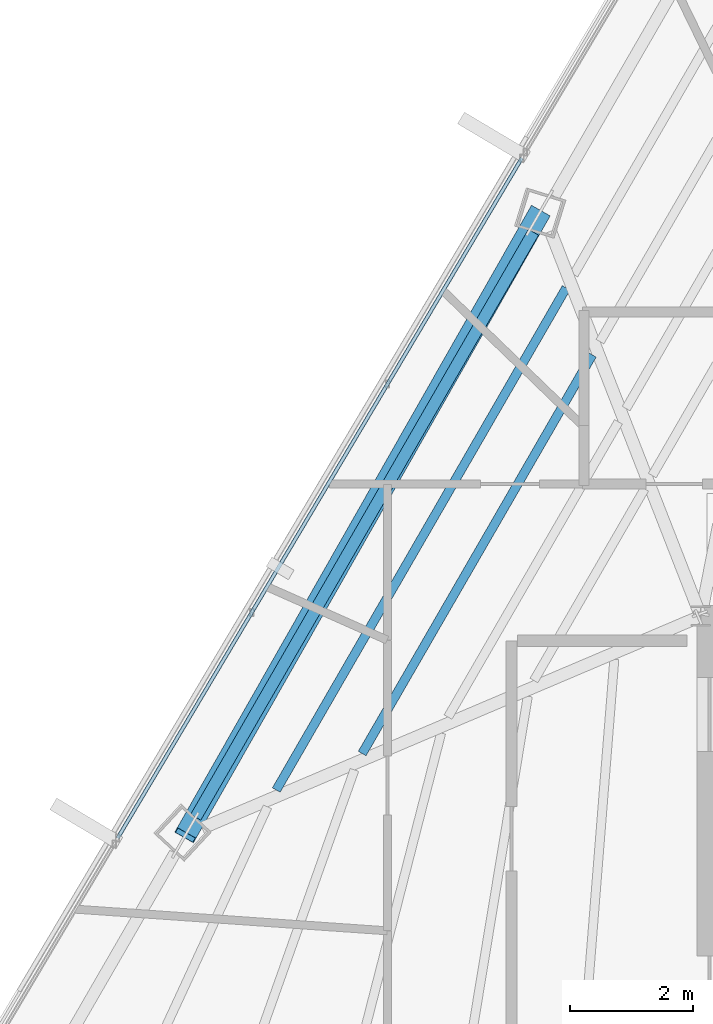
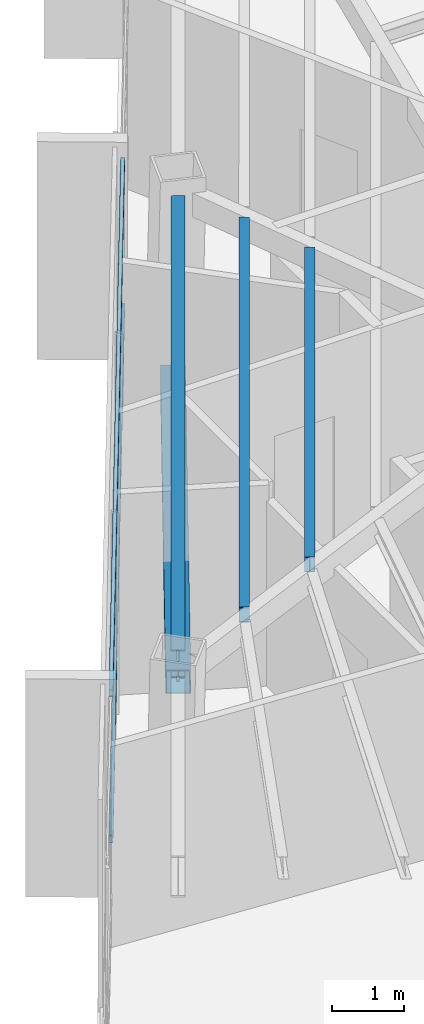
# One storey, part 18 of 46: 3 beams, 3 members, 1 element without a shape of its own.
"""IFC4 building model written with IfcOpenShell, lengths in metres."""

from ifc_helpers import new_model, si_unit, direction, frame, origin, origin_2d, place, context, subcontext, project, spatial, hollow_rectangle, i_section, extrude, source, transform, mapped, material, material_profile, profile_set, type_object, type_shapes, element, aggregate, save


model = new_model("IFC4")

# Units and contexts
model_context = context("Model", 3, precision=1e-05, world=origin(), true_north=direction((0.0, 1.0)))
body_context = subcontext(model_context, "Body", "Model", "MODEL_VIEW")
ifc_project = project(units=[si_unit("LENGTHUNIT", "METRE"), si_unit("AREAUNIT", "SQUARE_METRE"), si_unit("VOLUMEUNIT", "CUBIC_METRE"), si_unit("PLANEANGLEUNIT", "RADIAN"), si_unit("MASSUNIT", "GRAM", prefix="KILO")], contexts=[model_context])

# Site, building, storey
site_placement = place(None, origin())
site = spatial("IfcSite", under=ifc_project, at=site_placement, CompositionType="ELEMENT")
building_placement = place(site_placement, origin())
building = spatial("IfcBuilding", under=site, at=building_placement, Name="Caelisora Broadcast Tower", CompositionType="ELEMENT")
storey_placement = place(building_placement, frame((0.0, 0.0, 237.14990234375)))
storey = spatial("IfcBuildingStorey", under=building, at=storey_placement, Name="L62", CompositionType="ELEMENT", Elevation=237.14990234375)

# Beams
ifc_material_1 = material(Name="Steel Grade 350 (AS/NZS 3679.1)", Category="steel")
ifc_material_profile_1 = material_profile(ifc_material_1, i_section(OverallWidth=0.19091796875, OverallDepth=0.46044921875, WebThickness=0.010009765625, FlangeThickness=0.01611328125, at=origin_2d()), Name="Steel Grade 350 (AS/NZS 3679.1)")
ifc_profile_set_1 = profile_set([ifc_material_profile_1], Name="Steel Grade 350 (AS/NZS 3679.1)")
beam_type_1 = type_object("IfcBeamType", Name="PG06", PredefinedType="BEAM", material=ifc_profile_set_1)
shared_shape_1 = source(origin(), body_context, "Body", "SweptSolid", [
    extrude(i_section(OverallWidth=0.19091796875, OverallDepth=0.46044921875, WebThickness=0.010009765625, FlangeThickness=0.01611328125, at=origin_2d()), origin(), (0.0, 0.0, 1.0), 10.993408203125),
])
type_shapes(beam_type_1, [shared_shape_1])
beam_1_placement = place(storey_placement, frame((27.77783203125, 36.248779296875, 3.169921875), z_axis=(-0.499994152074, -0.86602878006, 0.0), x_axis=(0.86602878006, -0.499994152074, 0.0)))
element("IfcBeam", 1, at=beam_1_placement, inside=storey, type_object=beam_type_1, Name="L62 beam PG06", PredefinedType="BEAM", context=body_context, shape_type="MappedRepresentation", body=[
    mapped(shared_shape_1, transform((0.0, 0.0, 0.0), scale=1.0)),
])
ifc_material_profile_2 = material_profile(ifc_material_1, i_section(OverallWidth=0.14599609375, OverallDepth=0.256103515625, WebThickness=0.00634765625, FlangeThickness=0.010986328125, at=origin_2d()), Name="Steel Grade 350 (AS/NZS 3679.1)")
ifc_profile_set_2 = profile_set([ifc_material_profile_2], Name="Steel Grade 350 (AS/NZS 3679.1)")
beam_type_2 = type_object("IfcBeamType", Name="SB04", PredefinedType="JOIST", material=ifc_profile_set_2)
shared_shape_2 = source(origin(), body_context, "Body", "SweptSolid", [
    extrude(i_section(OverallWidth=0.14599609375, OverallDepth=0.256103515625, WebThickness=0.00634765625, FlangeThickness=0.010986328125, at=origin_2d()), origin(), (0.0, 0.0, 1.0), 7.4912109375),
])
beam_2_placement = place(storey_placement, frame((28.7353515625, 34.252685546875, 3.27197265625), z_axis=(-0.500001742692, -0.866024397638, 0.0), x_axis=(0.866024397638, -0.500001742692, 0.0)))
element("IfcBeam", 2, at=beam_2_placement, inside=storey, type_object=beam_type_2, Name="L62 beam SB04", PredefinedType="JOIST", context=body_context, shape_type="MappedRepresentation", body=[
    mapped(shared_shape_2, transform((0.0, 0.0, 0.0), scale=1.0)),
])
shared_shape_3 = source(origin(), body_context, "Body", "SweptSolid", [
    extrude(i_section(OverallWidth=0.14599609375, OverallDepth=0.256103515625, WebThickness=0.00634765625, FlangeThickness=0.010986328125, at=origin_2d()), origin(), (0.0, 0.0, 1.0), 9.435791015625),
])
type_shapes(beam_type_2, [shared_shape_2, shared_shape_3])
beam_3_placement = place(storey_placement, frame((28.309814453125, 35.3427734375, 3.27197265625), z_axis=(-0.500009879981, -0.8660196995, 0.0), x_axis=(0.8660196995, -0.500009879981, 0.0)))
element("IfcBeam", 3, at=beam_3_placement, inside=storey, type_object=beam_type_2, Name="L62 beam SB04", PredefinedType="JOIST", context=body_context, shape_type="MappedRepresentation", body=[
    mapped(shared_shape_3, transform((0.0, 0.0, 0.0), scale=1.0)),
])

# Member
ifc_material_2 = material(Name="Steel Grade 450 (AS/NZS 1163 C450L0)", Category="steel")
ifc_material_profile_3 = material_profile(ifc_material_2, hollow_rectangle(XDim=0.35009765625, YDim=0.35009765625, WallThickness=0.012451171875, at=origin_2d()), Name="Steel Grade 450 (AS/NZS 1163 C450L0)")
ifc_profile_set_3 = profile_set([ifc_material_profile_3], Name="Steel Grade 450 (AS/NZS 1163 C450L0)")
member_type_1 = type_object("IfcMemberType", Name="BR05", PredefinedType="BRACE", material=ifc_profile_set_3)
shared_shape_4 = source(origin(), body_context, "Body", "SweptSolid", [
    extrude(hollow_rectangle(XDim=0.35009765625, YDim=0.35009765625, WallThickness=0.012451171875, at=origin_2d()), origin(), (0.0, 0.0, 1.0), 12.032958984375),
])
type_shapes(member_type_1, [shared_shape_4])
member_1_placement = place(storey_placement, frame((27.8759765625, 36.5634765625, 0.10009765625), z_axis=(-0.478985819281, -0.841674336118, 0.249312849345), x_axis=(0.869118492449, -0.494603928496, 0.0)))
element("IfcMember", 4, at=member_1_placement, inside=storey, type_object=member_type_1, Name="L62 perimeter brace BR05", PredefinedType="BRACE", context=body_context, shape_type="MappedRepresentation", body=[
    mapped(shared_shape_4, transform((0.0, 0.0, 0.0), scale=1.0)),
])

# Curtain wall, members
ifc_material_3 = material(Name="Unitised Aluminium Insulated Shadow-Box Spandrel Curtain Wall", Category="aluminium")
curtain_wall_type = type_object("IfcCurtainWallType", Name="CW-SP3", PredefinedType="NOTDEFINED", material=ifc_material_3)
curtain_wall_placement = place(storey_placement, origin())
curtain_wall = element("IfcCurtainWall", 5, at=curtain_wall_placement, inside=storey, type_object=curtain_wall_type, Name="L62 curtain wall CW-SP3", PredefinedType="NOTDEFINED")
ifc_material_4 = material(Name="Aluminium 6063-T6 Anodised Terracotta Bronze", Category="aluminium")
ifc_material_profile_4 = material_profile(ifc_material_4, hollow_rectangle(XDim=0.06005859375, YDim=0.1201171875, WallThickness=0.0029296875, at=origin_2d()), Name="Aluminium 6063-T6 Anodised Terracotta Bronze")
ifc_profile_set_4 = profile_set([ifc_material_profile_4], Name="Aluminium 6063-T6 Anodised Terracotta Bronze")
member_type_2 = type_object("IfcMemberType", Name="CWT-03", PredefinedType="USERDEFINED", material=ifc_profile_set_4)
shared_shape_5 = source(origin(), body_context, "Body", "SweptSolid", [
    extrude(hollow_rectangle(XDim=0.06005859375, YDim=0.1201171875, WallThickness=0.0029296875, at=origin_2d()), origin(), (0.0, 0.0, 1.0), 12.87548828125),
])
type_shapes(member_type_2, [shared_shape_5])
member_2_placement = place(storey_placement, frame((21.009765625, 26.3876953125, 0.85009765625), z_axis=(0.510944383794, 0.8596137718, 0.0), x_axis=(-0.8596137718, 0.510944383794, 0.0)))
member_2 = element("IfcMember", 6, at=member_2_placement, type_object=member_type_2, Name="L62-CW-B10 transom #1", ObjectType="TRANSOM", PredefinedType="USERDEFINED", context=body_context, shape_type="MappedRepresentation", body=[
    mapped(shared_shape_5, transform((0.0, 0.0, 0.0), scale=1.0)),
])
member_3_placement = place(storey_placement, frame((21.009765625, 26.3876953125, 3.320068359375), z_axis=(0.510944383794, 0.8596137718, 0.0), x_axis=(-0.8596137718, 0.510944383794, 0.0)))
member_3 = element("IfcMember", 7, at=member_3_placement, type_object=member_type_2, Name="L62-CW-B10 transom #2", ObjectType="TRANSOM", PredefinedType="USERDEFINED", context=body_context, shape_type="MappedRepresentation", body=[
    mapped(shared_shape_5, transform((0.0, 0.0, 0.0), scale=1.0)),
])
aggregate(curtain_wall, [member_2, member_3])

save(model, "model.ifc")
